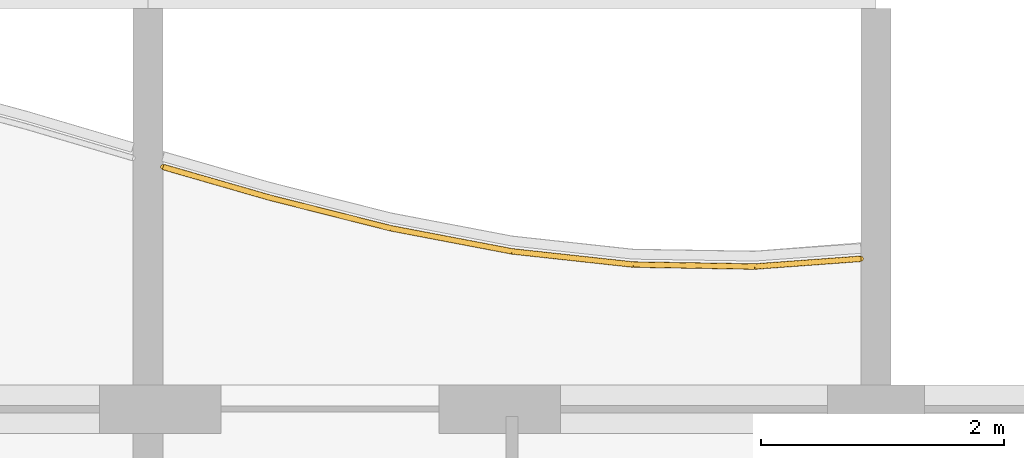
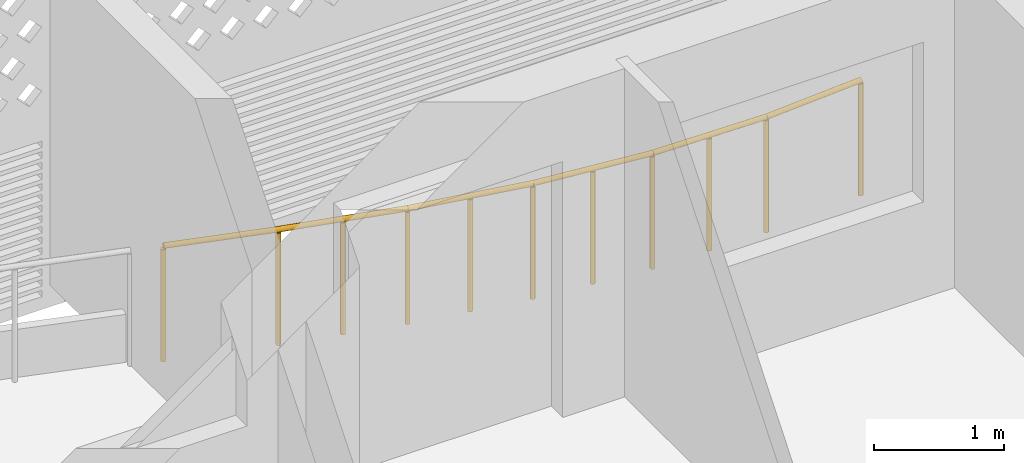
# One storey, part 18 of 27: 1 railing.
"""IFC4 building model written with IfcOpenShell, lengths in metres."""

from ifc_helpers import new_model, si_unit, direction, frame, origin, origin_2d, place, context, subcontext, project, spatial, circle, extrude, material, type_object, element, save


model = new_model("IFC4")

# Units and contexts
model_context = context("Model", 3, precision=1e-05, world=origin(), true_north=direction((0.0, 1.0)))
body_context = subcontext(model_context, "Body", "Model", "MODEL_VIEW")
ifc_project = project(units=[si_unit("LENGTHUNIT", "METRE"), si_unit("AREAUNIT", "SQUARE_METRE"), si_unit("VOLUMEUNIT", "CUBIC_METRE"), si_unit("PLANEANGLEUNIT", "RADIAN"), si_unit("MASSUNIT", "GRAM", prefix="KILO")], contexts=[model_context])

# Site, building, storey
site_placement = place(None, origin())
site = spatial("IfcSite", under=ifc_project, at=site_placement, CompositionType="ELEMENT")
building_placement = place(site_placement, origin())
building = spatial("IfcBuilding", under=site, at=building_placement, Name="Poui Terraces", CompositionType="ELEMENT")
storey_placement = place(building_placement, frame((0.0, 0.0, 195.0)))
storey = spatial("IfcBuildingStorey", under=building, at=storey_placement, Name="L54", CompositionType="ELEMENT", Elevation=195.0)

# Railing
ifc_material = material(Name="Painted steel fretwork", Category="steel")
railing_type = type_object("IfcRailingType", Name="BALCONY GUARD 1100", PredefinedType="GUARDRAIL", material=ifc_material)
railing_placement = place(storey_placement, frame((30.125, 43.19580078125, 0.0)))
element("IfcRailing", 1, at=railing_placement, inside=storey, type_object=railing_type, Name="BALCONY GUARD", PredefinedType="GUARDRAIL", context=body_context, shape_type="SweptSolid", body=[
    extrude(circle(Radius=0.02392578125, at=origin_2d()), frame((0.0, 0.0, 1.076171875), z_axis=(0.960955301601, -0.276703647113, 0.0), x_axis=(0.276703647113, 0.960955301601, 0.0)), (0.0, 0.0, 1.0), 0.91064453125),
    extrude(circle(Radius=0.02392578125, at=origin_2d()), frame((0.875, -0.251953125, 1.076171875), z_axis=(0.969470524151, -0.245207876714, 0.0), x_axis=(0.245207876714, 0.969470524151, 0.0)), (0.0, 0.0, 1.0), 1.031494140625),
    extrude(circle(Radius=0.02392578125, at=origin_2d()), frame((1.875, -0.5048828125, 1.076171875), z_axis=(0.982302864177, -0.187299447491, 0.0), x_axis=(0.187299447491, 0.982302864177, 0.0)), (0.0, 0.0, 1.0), 1.01806640625),
    extrude(circle(Radius=0.02392578125, at=origin_2d()), frame((2.875, -0.695556640625, 1.076171875), z_axis=(0.994124040351, -0.108246904784, 0.0), x_axis=(0.108246904784, 0.994124040351, 0.0)), (0.0, 0.0, 1.0), 1.005859375),
    extrude(circle(Radius=0.02392578125, at=origin_2d()), frame((3.875, -0.804443359375, 1.076171875), z_axis=(0.999870206358, -0.016111189849, 0.0), x_axis=(0.016111189849, 0.999870206358, 0.0)), (0.0, 0.0, 1.0), 1.000244140625),
    extrude(circle(Radius=0.02392578125, at=origin_2d()), frame((4.875, -0.820556640625, 1.076171875), z_axis=(0.997338661105, 0.07290812757, 0.0), x_axis=(-0.07290812757, 0.997338661105, 0.0)), (0.0, 0.0, 1.0), 0.87744140625),
    extrude(circle(Radius=0.02099609375, at=origin_2d()), origin(), (0.0, 0.0, 1.0), 1.052001953125),
    extrude(circle(Radius=0.02099609375, at=origin_2d()), frame((0.875, -0.251953125, 0.0)), (0.0, 0.0, 1.0), 1.052001953125),
    extrude(circle(Radius=0.02099609375, at=origin_2d()), frame((1.375, -0.37841796875, 0.0)), (0.0, 0.0, 1.0), 1.052001953125),
    extrude(circle(Radius=0.02099609375, at=origin_2d()), frame((1.875, -0.5048828125, 0.0)), (0.0, 0.0, 1.0), 1.052001953125),
    extrude(circle(Radius=0.02099609375, at=origin_2d()), frame((2.375, -0.60009765625, 0.0)), (0.0, 0.0, 1.0), 1.052001953125),
    extrude(circle(Radius=0.02099609375, at=origin_2d()), frame((2.875, -0.695556640625, 0.0)), (0.0, 0.0, 1.0), 1.052001953125),
    extrude(circle(Radius=0.02099609375, at=origin_2d()), frame((3.375, -0.75, 0.0)), (0.0, 0.0, 1.0), 1.052001953125),
    extrude(circle(Radius=0.02099609375, at=origin_2d()), frame((3.875, -0.804443359375, 0.0)), (0.0, 0.0, 1.0), 1.052001953125),
    extrude(circle(Radius=0.02099609375, at=origin_2d()), frame((4.375, -0.8125, 0.0)), (0.0, 0.0, 1.0), 1.052001953125),
    extrude(circle(Radius=0.02099609375, at=origin_2d()), frame((4.875, -0.820556640625, 0.0)), (0.0, 0.0, 1.0), 1.052001953125),
    extrude(circle(Radius=0.02099609375, at=origin_2d()), frame((5.75, -0.756591796875, 0.0)), (0.0, 0.0, 1.0), 1.052001953125),
])

save(model, "model.ifc")
